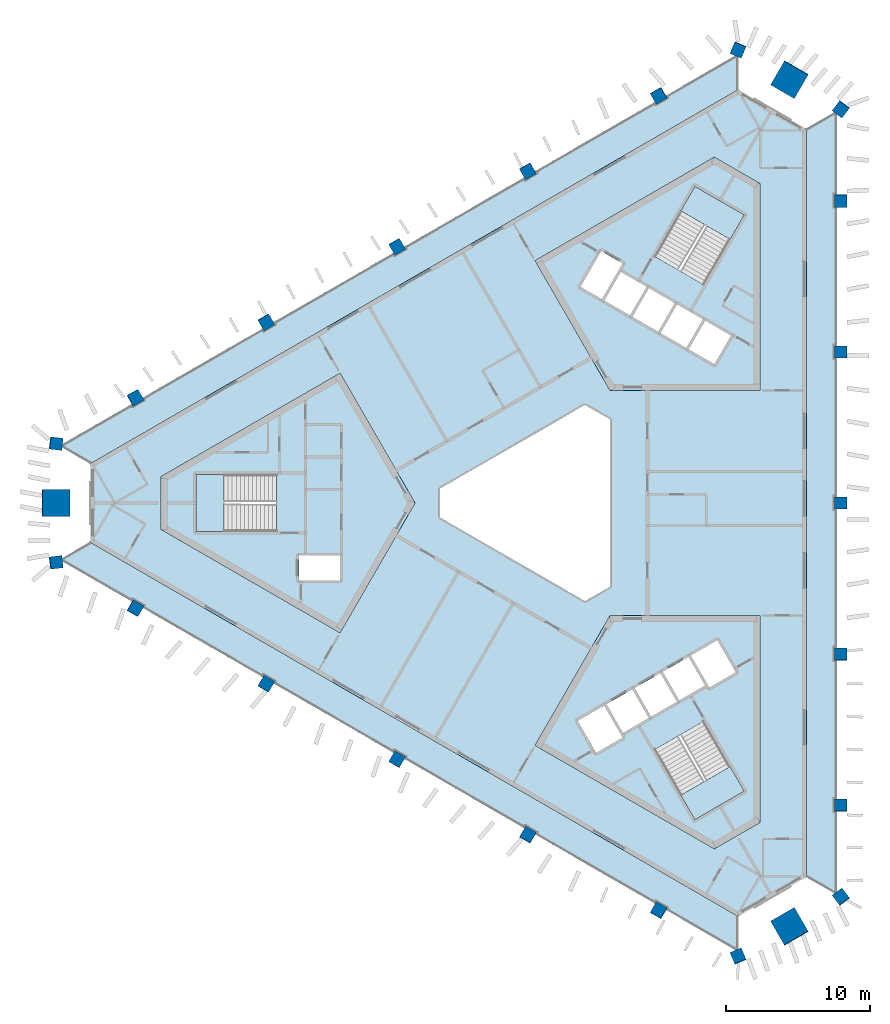
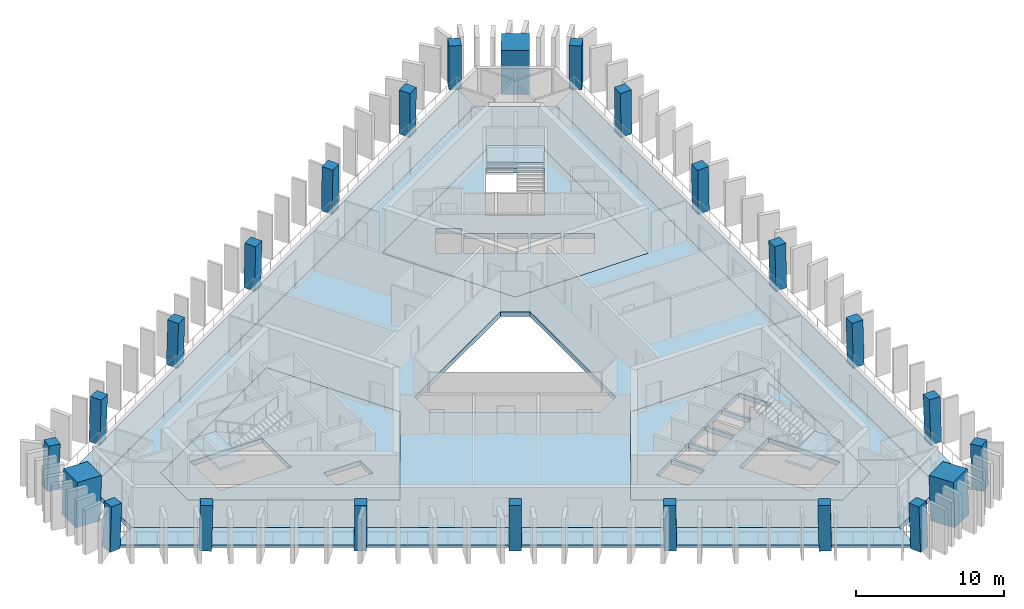
# One storey, part 1 of 9: 24 columns, 10 slabs, 3 elements without a shape of their own.
"""IFC4 building model written with IfcOpenShell, lengths in metres."""

from ifc_helpers import new_model, si_unit, direction, frame, origin, origin_2d, place, context, subcontext, project, spatial, polyline, rectangle, outline, extrude, material, layer, layer_set, material_profile, profile_set, type_object, element, aggregate, save


model = new_model("IFC4")

# Units and contexts
model_context = context("Model", 3, precision=1e-05, world=origin(), true_north=direction((0.0, 1.0)))
body_context = subcontext(model_context, "Body", "Model", "MODEL_VIEW")
ifc_project = project(units=[si_unit("LENGTHUNIT", "METRE"), si_unit("AREAUNIT", "SQUARE_METRE"), si_unit("VOLUMEUNIT", "CUBIC_METRE"), si_unit("PLANEANGLEUNIT", "RADIAN"), si_unit("MASSUNIT", "GRAM", prefix="KILO")], contexts=[model_context])

# Site, building, storey
site_placement = place(None, origin())
site = spatial("IfcSite", under=ifc_project, at=site_placement, CompositionType="ELEMENT")
building_placement = place(site_placement, origin())
building = spatial("IfcBuilding", under=site, at=building_placement, Name="Jabali Bay Hotel Tower and Convention Centre", CompositionType="ELEMENT")
storey_placement = place(building_placement, frame((0.0, 0.0, 205.800048828125)))
storey = spatial("IfcBuildingStorey", under=building, at=storey_placement, Name="L50", CompositionType="ELEMENT", Elevation=205.800048828125)

# Columns
ifc_material_1 = material(Name="Concrete C60", Category="concrete")
ifc_material_profile_1 = material_profile(ifc_material_1, rectangle(XDim=0.85009765625, YDim=0.85009765625, at=origin_2d()), Name="Frame column 850")
ifc_profile_set_1 = profile_set([ifc_material_profile_1], Name="Concrete C60")
column_type_1 = type_object("IfcColumnType", Name="Frame column 850", PredefinedType="COLUMN", material=ifc_profile_set_1)
column_1_placement = place(storey_placement, frame((82.8759765625, 108.219482421875, 0.0), z_axis=(-0.008376454378, -0.028163354484, 0.999568237028), x_axis=(0.86585218107, 0.499844611273, 0.021339285781)))
element("IfcColumn", 1, at=column_1_placement, inside=storey, type_object=column_type_1, Name="FC5 F1.1 L50", PredefinedType="COLUMN", context=body_context, shape_type="SweptSolid", body=[
    extrude(rectangle(XDim=0.85009765625, YDim=0.85009765625, at=origin_2d()), origin(), (0.0, 0.0, 1.0), 3.70166015625),
])
column_2_placement = place(storey_placement, frame((73.812744140625, 102.98681640625, 0.0), z_axis=(0.000857578916, -0.022824792675, 0.999739112668), x_axis=(0.866059992904, 0.499826241631, 0.010668498825)))
element("IfcColumn", 2, at=column_2_placement, inside=storey, type_object=column_type_1, Name="FC5 F1.2 L50", PredefinedType="COLUMN", context=body_context, shape_type="SweptSolid", body=[
    extrude(rectangle(XDim=0.85009765625, YDim=0.85009765625, at=origin_2d()), origin(), (0.0, 0.0, 1.0), 3.700927734375),
])
column_3_placement = place(storey_placement, frame((64.74951171875, 97.754150390625, 0.0), z_axis=(0.010093620709, -0.017482414954, 0.999796221231), x_axis=(-0.499902890187, 0.86584616669, 0.020187025825)))
element("IfcColumn", 3, at=column_3_placement, inside=storey, type_object=column_type_1, Name="FC5 F1.3 L50", PredefinedType="COLUMN", context=body_context, shape_type="SweptSolid", body=[
    extrude(rectangle(XDim=0.85009765625, YDim=0.85009765625, at=origin_2d()), origin(), (0.0, 0.0, 1.0), 3.70068359375),
])
column_4_placement = place(storey_placement, frame((55.6865234375, 92.521484375, 0.0), z_axis=(0.019328516974, -0.012138044789, 0.999739504221), x_axis=(-0.500208848309, 0.865669585777, 0.020181088508)))
element("IfcColumn", 4, at=column_4_placement, inside=storey, type_object=column_type_1, Name="FC5 F1.4 L50", PredefinedType="COLUMN", context=body_context, shape_type="SweptSolid", body=[
    extrude(rectangle(XDim=0.85009765625, YDim=0.85009765625, at=origin_2d()), origin(), (0.0, 0.0, 1.0), 3.700927734375),
])
for number, where, z_axis, x_axis, name in (
    (5, (46.623291015625, 87.2890625, 0.0), (0.028559101991, -0.006859460986, 0.999568569678), (-0.498522975518, 0.866641318896, 0.02019077173), "FC5 F1.5 L50"),
    (6, (46.623291015625, 72.7109375, 0.0), (0.028559101991, 0.006859460986, 0.999568569678), (-0.866405921364, 0.498884527899, 0.021330898914), "FC5 F2.1 L50"),
):
    element("IfcColumn", number, at=place(storey_placement, frame(where, z_axis=z_axis, x_axis=x_axis)), inside=storey, type_object=column_type_1, Name=name, PredefinedType="COLUMN", context=body_context, shape_type="SweptSolid", body=[
        extrude(rectangle(XDim=0.85009765625, YDim=0.85009765625, at=origin_2d()), origin(), (0.0, 0.0, 1.0), 3.70166015625),
    ])
column_5_placement = place(storey_placement, frame((55.6865234375, 67.478515625, 0.0), z_axis=(0.019328516974, 0.012138044789, 0.999739504221), x_axis=(-0.865689041461, 0.500468616527, 0.010660551878)))
element("IfcColumn", 7, at=column_5_placement, inside=storey, type_object=column_type_1, Name="FC5 F2.2 L50", PredefinedType="COLUMN", context=body_context, shape_type="SweptSolid", body=[
    extrude(rectangle(XDim=0.85009765625, YDim=0.85009765625, at=origin_2d()), origin(), (0.0, 0.0, 1.0), 3.700927734375),
])
column_6_placement = place(storey_placement, frame((64.74951171875, 62.245849609375, 0.0), z_axis=(0.010093620709, 0.017482414954, 0.999796221231), x_axis=(-0.866022643586, 0.500004780773, 1.3036e-08)))
element("IfcColumn", 8, at=column_6_placement, inside=storey, type_object=column_type_1, Name="FC5 F2.3 L50", PredefinedType="COLUMN", context=body_context, shape_type="SweptSolid", body=[
    extrude(rectangle(XDim=0.85009765625, YDim=0.85009765625, at=origin_2d()), origin(), (0.0, 0.0, 1.0), 3.70068359375),
])
column_7_placement = place(storey_placement, frame((73.812744140625, 57.01318359375, 0.0), z_axis=(0.000857578916, 0.022824792675, 0.999739112668), x_axis=(-0.499939349571, -0.865824899744, 0.020196280228)))
element("IfcColumn", 9, at=column_7_placement, inside=storey, type_object=column_type_1, Name="FC5 F2.4 L50", PredefinedType="COLUMN", context=body_context, shape_type="SweptSolid", body=[
    extrude(rectangle(XDim=0.85009765625, YDim=0.85009765625, at=origin_2d()), origin(), (0.0, 0.0, 1.0), 3.700927734375),
])
for number, where, z_axis, x_axis, name in (
    (10, (82.8759765625, 51.780517578125, 0.0), (-0.008376454378, 0.028163354484, 0.999568237028), (-0.500229782748, -0.865657085713, 0.020198376324), "FC5 F2.5 L50"),
    (11, (95.500732421875, 59.069580078125, 0.0), (-0.020182659751, 0.021303918626, 0.999569308901), (0.000228267203, -0.99977282903, 0.021312865295), "FC5 F0.1 L50"),
):
    element("IfcColumn", number, at=place(storey_placement, frame(where, z_axis=z_axis, x_axis=x_axis)), inside=storey, type_object=column_type_1, Name=name, PredefinedType="COLUMN", context=body_context, shape_type="SweptSolid", body=[
        extrude(rectangle(XDim=0.85009765625, YDim=0.85009765625, at=origin_2d()), origin(), (0.0, 0.0, 1.0), 3.70166015625),
    ])
column_8_placement = place(storey_placement, frame((95.500732421875, 69.534912109375, 0.0), z_axis=(-0.020186102726, 0.010620792611, 0.999739826165), x_axis=(0.001532768534, -0.999942070948, 0.010653889845)))
element("IfcColumn", 12, at=column_8_placement, inside=storey, type_object=column_type_1, Name="FC5 F0.2 L50", PredefinedType="COLUMN", context=body_context, shape_type="SweptSolid", body=[
    extrude(rectangle(XDim=0.85009765625, YDim=0.85009765625, at=origin_2d()), origin(), (0.0, 0.0, 1.0), 3.700927734375),
])
column_9_placement = place(storey_placement, frame((95.500732421875, 80.0, 0.0), z_axis=(-0.020187241331, 0.0, 0.99979621688), x_axis=(0.0, -1.0, 0.0)))
element("IfcColumn", 13, at=column_9_placement, inside=storey, type_object=column_type_1, Name="FC5 F0.3 L50", PredefinedType="COLUMN", context=body_context, shape_type="SweptSolid", body=[
    extrude(rectangle(XDim=0.85009765625, YDim=0.85009765625, at=origin_2d()), origin(), (0.0, 0.0, 1.0), 3.70068359375),
])
column_10_placement = place(storey_placement, frame((95.500732421875, 90.465087890625, 0.0), z_axis=(-0.020186102726, -0.010620792611, 0.999739826165), x_axis=(0.999795064939, -0.001747430263, 0.020168654147)))
element("IfcColumn", 14, at=column_10_placement, inside=storey, type_object=column_type_1, Name="FC5 F0.4 L50", PredefinedType="COLUMN", context=body_context, shape_type="SweptSolid", body=[
    extrude(rectangle(XDim=0.85009765625, YDim=0.85009765625, at=origin_2d()), origin(), (0.0, 0.0, 1.0), 3.700927734375),
])
column_11_placement = place(storey_placement, frame((95.500732421875, 100.930419921875, 0.0), z_axis=(-0.020182659751, -0.021303918626, 0.999569308901), x_axis=(0.999796283319, -0.000658319199, 0.020173211851)))
element("IfcColumn", 15, at=column_11_placement, inside=storey, type_object=column_type_1, Name="FC5 F0.5 L50", PredefinedType="COLUMN", context=body_context, shape_type="SweptSolid", body=[
    extrude(rectangle(XDim=0.85009765625, YDim=0.85009765625, at=origin_2d()), origin(), (0.0, 0.0, 1.0), 3.70166015625),
])
for number, where, z_axis, x_axis, name in (
    (16, (95.500732421875, 52.71728515625, 0.0), (-0.02017878048, 0.028949296179, 0.999377183584), (-0.79892272174, -0.601432306369, 0.001290559528), "FC5 V0 L50"),
    (17, (95.500732421875, 107.28271484375, 0.0), (-0.02017878048, -0.028949296179, 0.999377183584), (0.601095085245, 0.798399097637, 0.03526442098), "FC5 V1 L50"),
    (18, (88.377197265625, 111.3955078125, 0.0), (-0.015035173594, -0.031916772016, 0.999377437818), (0.919618497261, -0.392810584033, 0.001290181109), "FC5 V2 L50"),
    (19, (41.1220703125, 84.11279296875, 0.0), (0.03521388716, -0.002967462401, 0.999375393092), (-0.992109177879, 0.120300562243, 0.03531506607), "FC5 V3 L50"),
    (20, (41.1220703125, 75.88720703125, 0.0), (0.03521388716, 0.002967462401, 0.999375393092), (-0.120330217812, 0.992733080385, 0.001292203741), "FC5 V4 L50"),
    (21, (88.377197265625, 48.6044921875, 0.0), (-0.015035173594, 0.031916772016, 0.999377437818), (0.392524856603, -0.919065375659, 0.035257229239), "FC5 V5 L50"),
):
    element("IfcColumn", number, at=place(storey_placement, frame(where, z_axis=z_axis, x_axis=x_axis)), inside=storey, type_object=column_type_1, Name=name, PredefinedType="COLUMN", context=body_context, shape_type="SweptSolid", body=[
        extrude(rectangle(XDim=0.85009765625, YDim=0.85009765625, at=origin_2d()), origin(), (0.0, 0.0, 1.0), 3.7021484375),
    ])
ifc_material_2 = material(Name="Concrete C70", Category="concrete")
ifc_material_profile_2 = material_profile(ifc_material_2, rectangle(XDim=1.89990234375, YDim=1.89990234375, at=origin_2d()), Name="Mega column 1900")
ifc_profile_set_2 = profile_set([ifc_material_profile_2], Name="Concrete C70")
column_type_2 = type_object("IfcColumnType", Name="Mega column 1900", PredefinedType="COLUMN", material=ifc_profile_set_2)
for number, where, z_axis, x_axis, name in (
    (22, (91.93896484375, 109.339111328125, 0.0), (-0.017607037296, -0.030466109479, 0.999380712447), (0.500064653071, 0.865272876704, 0.035187946645), "MC5 M1 L50"),
    (23, (41.1220703125, 80.0, 0.0), (0.035214042205, 0.0, 0.999379793288), (0.0, 1.0, 0.0), "MC5 M0 L50"),
    (24, (91.93896484375, 50.660888671875, 0.0), (-0.017607037296, 0.030466109479, 0.999380712447), (-0.865809063816, -0.500374524745, 1.32655e-07), "MC5 M2 L50"),
):
    element("IfcColumn", number, at=place(storey_placement, frame(where, z_axis=z_axis, x_axis=x_axis)), inside=storey, type_object=column_type_2, Name=name, PredefinedType="COLUMN", context=body_context, shape_type="SweptSolid", body=[
        extrude(rectangle(XDim=1.89990234375, YDim=1.89990234375, at=origin_2d()), origin(), (0.0, 0.0, 1.0), 3.7021484375),
    ])

# Slabs
ifc_material_3 = material(Name="Concrete C40", Category="concrete")
ifc_layer_1 = layer(ifc_material_3, 0.39990234375)
ifc_layer_set_1 = layer_set([ifc_layer_1], Name="Concrete C40")
slab_type_1 = type_object("IfcSlabType", Name="Core floor slab 400", PredefinedType="FLOOR", material=ifc_layer_set_1)
slab_1_placement = place(storey_placement, frame((0.0, 0.0, -0.400146484375)))
element("IfcSlab", 25, at=slab_1_placement, inside=storey, type_object=slab_type_1, Name="Core floor slab 1 L50", PredefinedType="FLOOR", context=body_context, shape_type="SweptSolid", body=[
    extrude(outline(polyline([(66.0, 80.0), (60.81005859375, 88.9892578125), (48.39697265625, 81.82275390625), (48.39697265625, 78.17724609375), (60.81005859375, 71.0107421875), (66.0, 80.0)]), holes=[polyline([(60.800048828125, 76.35009765625), (57.949951171875, 76.35009765625), (57.949951171875, 74.64990234375), (60.800048828125, 74.64990234375), (60.800048828125, 76.35009765625)]), polyline([(50.820068359375, 81.97509765625), (50.820068359375, 78.02490234375), (56.409912109375, 78.02490234375), (56.409912109375, 81.97509765625), (50.820068359375, 81.97509765625)])]), origin(), (0.0, 0.0, 1.0), 0.400146484375),
])
slab_2_placement = place(storey_placement, frame((0.0, 0.0, -0.400146484375)))
element("IfcSlab", 26, at=slab_2_placement, inside=storey, type_object=slab_type_1, Name="Core floor slab 2 L50", PredefinedType="FLOOR", context=body_context, shape_type="SweptSolid", body=[
    extrude(outline(polyline([(79.5, 87.794189453125), (89.8798828125, 87.794189453125), (89.8798828125, 102.127685546875), (86.72314453125, 103.9501953125), (74.31005859375, 96.78369140625), (79.5, 87.794189453125)]), holes=[polyline([(84.957763671875, 90.6474609375), (86.733154296875, 89.62255859375), (87.873291015625, 91.59716796875), (86.097900390625, 92.6220703125), (84.957763671875, 90.6474609375)]), polyline([(84.1494140625, 93.7470703125), (83.00927734375, 91.7724609375), (84.78466796875, 90.74755859375), (85.924560546875, 92.72216796875), (84.1494140625, 93.7470703125)]), polyline([(82.20068359375, 94.8720703125), (81.060791015625, 92.8974609375), (82.836181640625, 91.87255859375), (83.97607421875, 93.84716796875), (82.20068359375, 94.8720703125)]), polyline([(79.1123046875, 94.0224609375), (80.887451171875, 92.99755859375), (82.027587890625, 94.97216796875), (80.252197265625, 95.9970703125), (79.1123046875, 94.0224609375)]), polyline([(78.891845703125, 97.440673828125), (77.466796875, 94.97265625), (78.93896484375, 94.12255859375), (80.364013671875, 96.5908203125), (78.891845703125, 97.440673828125)]), polyline([(82.584716796875, 97.0869140625), (86.00537109375, 95.11181640625), (88.80029296875, 99.952880859375), (85.379638671875, 101.927978515625), (82.584716796875, 97.0869140625)])]), origin(), (0.0, 0.0, 1.0), 0.400146484375),
])
slab_3_placement = place(storey_placement, frame((0.0, 0.0, -0.400146484375)))
element("IfcSlab", 27, at=slab_3_placement, inside=storey, type_object=slab_type_1, Name="Core floor slab 3 L50", PredefinedType="FLOOR", context=body_context, shape_type="SweptSolid", body=[
    extrude(outline(polyline([(79.5, 72.205810546875), (74.31005859375, 63.21630859375), (86.72314453125, 56.0498046875), (89.8798828125, 57.872314453125), (89.8798828125, 72.205810546875), (79.5, 72.205810546875)]), holes=[polyline([(82.584716796875, 62.9130859375), (85.379638671875, 58.072021484375), (88.80029296875, 60.047119140625), (86.00537109375, 64.88818359375), (82.584716796875, 62.9130859375)]), polyline([(80.365478515625, 63.756591796875), (79.090576171875, 65.96484375), (77.27197265625, 64.9150390625), (78.546875, 62.70654296875), (80.365478515625, 63.756591796875)]), polyline([(82.17919921875, 65.115478515625), (81.0390625, 67.08984375), (79.263671875, 66.06494140625), (80.40380859375, 64.09033203125), (82.17919921875, 65.115478515625)]), polyline([(82.98779296875, 68.21484375), (81.21240234375, 67.18994140625), (82.352294921875, 65.21533203125), (84.127685546875, 66.240478515625), (82.98779296875, 68.21484375)]), polyline([(86.076171875, 67.365478515625), (84.936279296875, 69.33984375), (83.160888671875, 68.31494140625), (84.30078125, 66.34033203125), (86.076171875, 67.365478515625)]), polyline([(88.203125, 68.281494140625), (86.927978515625, 70.489990234375), (85.109375, 69.43994140625), (86.384521484375, 67.231689453125), (88.203125, 68.281494140625)])]), origin(), (0.0, 0.0, 1.0), 0.400146484375),
])
ifc_layer_2 = layer(ifc_material_3, 0.199951171875)
ifc_layer_set_2 = layer_set([ifc_layer_2], Name="Concrete C40")
slab_type_2 = type_object("IfcSlabType", Name="Loggia slab 200", PredefinedType="FLOOR", material=ifc_layer_set_2)
slab_4_placement = place(storey_placement, frame((0.0, 0.0, -0.199951171875)))
element("IfcSlab", 28, at=slab_4_placement, inside=storey, type_object=slab_type_2, Name="Loggia slab east face L50", PredefinedType="FLOOR", context=body_context, shape_type="SweptSolid", body=[
    extrude(outline(polyline([(93.100830078125, 105.897216796875), (95.1005859375, 107.0517578125), (95.20068359375, 106.9765625), (95.20068359375, 101.35546875), (95.07568359375, 101.35546875), (95.07568359375, 100.50537109375), (95.20068359375, 100.50537109375), (95.20068359375, 90.89013671875), (95.07568359375, 90.89013671875), (95.07568359375, 90.040283203125), (95.20068359375, 90.040283203125), (95.20068359375, 80.425048828125), (95.07568359375, 80.425048828125), (95.07568359375, 79.574951171875), (95.20068359375, 79.574951171875), (95.20068359375, 69.959716796875), (95.07568359375, 69.959716796875), (95.07568359375, 69.10986328125), (95.20068359375, 69.10986328125), (95.20068359375, 59.49462890625), (95.07568359375, 59.49462890625), (95.07568359375, 58.64453125), (95.20068359375, 58.64453125), (95.20068359375, 53.0234375), (95.1005859375, 52.9482421875), (93.100830078125, 54.102783203125), (93.100830078125, 105.897216796875)])), origin(), (0.0, 0.0, 1.0), 0.199951171875),
])
slab_5_placement = place(storey_placement, frame((0.0, 0.0, -0.199951171875)))
element("IfcSlab", 29, at=slab_5_placement, inside=storey, type_object=slab_type_2, Name="Loggia slab north-west face L50", PredefinedType="FLOOR", context=body_context, shape_type="SweptSolid", body=[
    extrude(outline(polyline([(43.52197265625, 82.72705078125), (41.52197265625, 83.8818359375), (41.537109375, 84.006103515625), (46.4052734375, 86.816650390625), (46.4677734375, 86.70849609375), (47.203857421875, 87.133544921875), (47.141357421875, 87.24169921875), (55.468505859375, 92.04931640625), (55.531005859375, 91.94091796875), (56.26708984375, 92.365966796875), (56.20458984375, 92.474365234375), (64.531494140625, 97.281982421875), (64.593994140625, 97.173583984375), (65.330078125, 97.5986328125), (65.267578125, 97.706787109375), (73.5947265625, 102.514404296875), (73.6572265625, 102.40625), (74.393310546875, 102.831298828125), (74.330810546875, 102.939453125), (82.65771484375, 107.7470703125), (82.72021484375, 107.638916015625), (83.45654296875, 108.063720703125), (83.39404296875, 108.172119140625), (88.261962890625, 110.982666015625), (88.377197265625, 110.93359375), (88.377197265625, 108.624267578125), (43.52197265625, 82.72705078125)])), origin(), (0.0, 0.0, 1.0), 0.199951171875),
])
slab_6_placement = place(storey_placement, frame((0.0, 0.0, -0.199951171875)))
element("IfcSlab", 30, at=slab_6_placement, inside=storey, type_object=slab_type_2, Name="Loggia slab south-west face L50", PredefinedType="FLOOR", context=body_context, shape_type="SweptSolid", body=[
    extrude(outline(polyline([(88.377197265625, 51.375732421875), (88.377197265625, 49.06640625), (88.261962890625, 49.017333984375), (83.39404296875, 51.827880859375), (83.45654296875, 51.936279296875), (82.72021484375, 52.361083984375), (82.65771484375, 52.2529296875), (74.330810546875, 57.060546875), (74.393310546875, 57.168701171875), (73.6572265625, 57.59375), (73.5947265625, 57.485595703125), (65.267578125, 62.293212890625), (65.330078125, 62.4013671875), (64.593994140625, 62.826416015625), (64.531494140625, 62.718017578125), (56.20458984375, 67.525634765625), (56.26708984375, 67.634033203125), (55.531005859375, 68.05908203125), (55.468505859375, 67.95068359375), (47.141357421875, 72.75830078125), (47.203857421875, 72.866455078125), (46.4677734375, 73.29150390625), (46.4052734375, 73.183349609375), (41.537109375, 75.993896484375), (41.52197265625, 76.1181640625), (43.52197265625, 77.27294921875), (88.377197265625, 51.375732421875)])), origin(), (0.0, 0.0, 1.0), 0.199951171875),
])
ifc_layer_3 = layer(ifc_material_3, 0.39990234375)
ifc_layer_set_3 = layer_set([ifc_layer_3], Name="Concrete C40")
slab_type_3 = type_object("IfcSlabType", Name="Post-tensioned flat slab 400", PredefinedType="FLOOR", material=ifc_layer_set_3)
slab_7_placement = place(storey_placement, frame((0.0, 0.0, -0.400146484375)))
element("IfcSlab", 31, at=slab_7_placement, inside=storey, type_object=slab_type_3, Name="Floor slab L50", PredefinedType="FLOOR", context=body_context, shape_type="SweptSolid", body=[
    extrude(outline(polyline([(88.377197265625, 108.624267578125), (93.100830078125, 105.897216796875), (93.100830078125, 54.102783203125), (88.377197265625, 51.375732421875), (43.52197265625, 77.27294921875), (43.52197265625, 82.72705078125), (88.377197265625, 108.624267578125)]), holes=[polyline([(67.73193359375, 79.0), (77.76806640625, 73.205810546875), (79.5, 74.205810546875), (79.5, 85.794189453125), (77.76806640625, 86.794189453125), (67.73193359375, 81.0), (67.73193359375, 79.0)]), polyline([(48.39697265625, 78.17724609375), (60.81005859375, 71.0107421875), (66.0, 80.0), (60.81005859375, 88.9892578125), (48.39697265625, 81.82275390625), (48.39697265625, 78.17724609375)]), polyline([(89.8798828125, 102.127685546875), (86.72314453125, 103.9501953125), (74.31005859375, 96.78369140625), (79.5, 87.794189453125), (89.8798828125, 87.794189453125), (89.8798828125, 102.127685546875)]), polyline([(74.31005859375, 63.21630859375), (86.72314453125, 56.0498046875), (89.8798828125, 57.872314453125), (89.8798828125, 72.205810546875), (79.5, 72.205810546875), (74.31005859375, 63.21630859375)])]), origin(), (0.0, 0.0, 1.0), 0.400146484375),
])

# Stair, slab
stair_type = type_object("IfcStairType", Name="Exit stair 1900", PredefinedType="HALF_TURN_STAIR", material=ifc_material_3)
stair_1_placement = place(storey_placement, origin())
stair_1 = element("IfcStair", 32, at=stair_1_placement, inside=storey, type_object=stair_type, Name="L50 Exit Stair 1", PredefinedType="HALF_TURN_STAIR")
ifc_layer_4 = layer(ifc_material_3, 0.199951171875)
ifc_layer_set_4 = layer_set([ifc_layer_4], Name="Concrete C40")
slab_type_4 = type_object("IfcSlabType", Name="Stair landing 200", PredefinedType="LANDING", material=ifc_layer_set_4)
slab_8_placement = place(storey_placement, frame((0.0, 0.0, 1.64990234375)))
slab_8 = element("IfcSlab", 33, at=slab_8_placement, type_object=slab_type_4, Name="ST1 landing 1", PredefinedType="LANDING", context=body_context, shape_type="SweptSolid", body=[
    extrude(outline(polyline([(52.782958984375, 81.97509765625), (50.820068359375, 81.97509765625), (50.820068359375, 78.02490234375), (52.782958984375, 78.02490234375), (52.782958984375, 81.97509765625)])), origin(), (0.0, 0.0, 1.0), 0.199951171875),
])
aggregate(stair_1, [slab_8])

stair_2_placement = place(storey_placement, origin())
stair_2 = element("IfcStair", 34, at=stair_2_placement, inside=storey, type_object=stair_type, Name="L50 Exit Stair 2", PredefinedType="HALF_TURN_STAIR")
slab_9_placement = place(storey_placement, frame((0.0, 0.0, 1.64990234375)))
slab_9 = element("IfcSlab", 35, at=slab_9_placement, type_object=slab_type_4, Name="ST2 landing 1", PredefinedType="LANDING", context=body_context, shape_type="SweptSolid", body=[
    extrude(outline(polyline([(87.81884765625, 98.2529296875), (88.80029296875, 99.952880859375), (85.379638671875, 101.927978515625), (84.398193359375, 100.22802734375), (87.81884765625, 98.2529296875)])), origin(), (0.0, 0.0, 1.0), 0.199951171875),
])
aggregate(stair_2, [slab_9])

stair_3_placement = place(storey_placement, origin())
stair_3 = element("IfcStair", 36, at=stair_3_placement, inside=storey, type_object=stair_type, Name="L50 Exit Stair 3", PredefinedType="HALF_TURN_STAIR")
slab_10_placement = place(storey_placement, frame((0.0, 0.0, 1.64990234375)))
slab_10 = element("IfcSlab", 37, at=slab_10_placement, type_object=slab_type_4, Name="ST3 landing 1", PredefinedType="LANDING", context=body_context, shape_type="SweptSolid", body=[
    extrude(outline(polyline([(84.398193359375, 59.77197265625), (85.379638671875, 58.072021484375), (88.80029296875, 60.047119140625), (87.81884765625, 61.7470703125), (84.398193359375, 59.77197265625)])), origin(), (0.0, 0.0, 1.0), 0.199951171875),
])
aggregate(stair_3, [slab_10])

save(model, "model.ifc")
